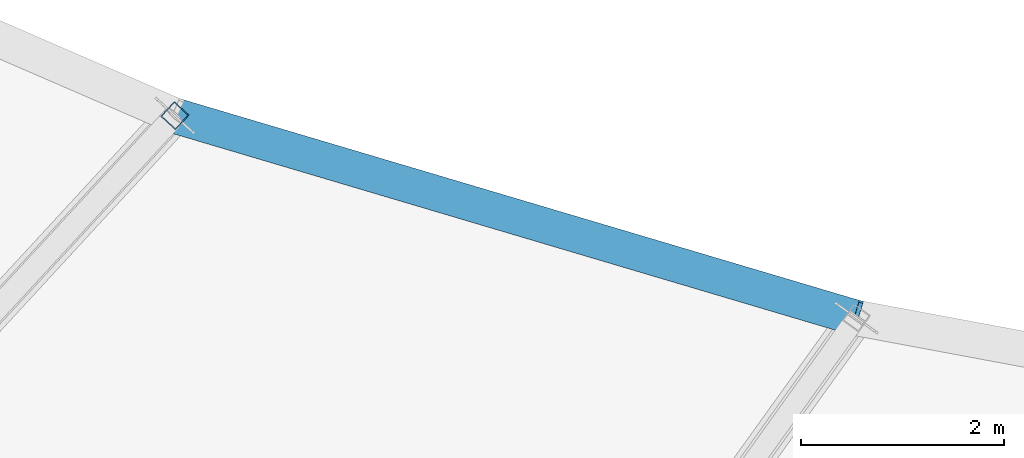
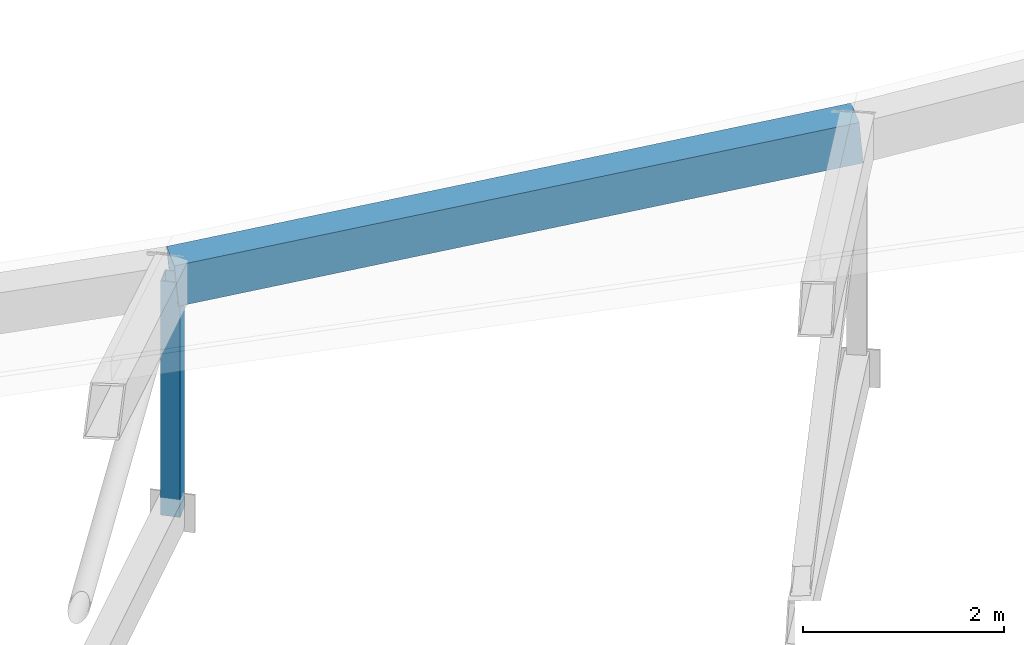
# One storey, part 38 of 143: 1 beam, 1 member.
"""IFC4 building model written with IfcOpenShell, lengths in metres."""

from ifc_helpers import new_model, si_unit, direction, frame, origin, origin_2d, place, context, subcontext, project, spatial, hollow_rectangle, extrude, material, material_profile, profile_set, type_object, element, save


model = new_model("IFC4")

# Units and contexts
model_context = context("Model", 3, precision=1e-05, world=origin(), true_north=direction((0.0, 1.0)))
body_context = subcontext(model_context, "Body", "Model", "MODEL_VIEW")
ifc_project = project(units=[si_unit("LENGTHUNIT", "METRE"), si_unit("AREAUNIT", "SQUARE_METRE"), si_unit("VOLUMEUNIT", "CUBIC_METRE"), si_unit("PLANEANGLEUNIT", "RADIAN"), si_unit("MASSUNIT", "GRAM", prefix="KILO")], contexts=[model_context])

# Site, building, storey
site_placement = place(None, origin())
site = spatial("IfcSite", under=ifc_project, at=site_placement, CompositionType="ELEMENT")
building_placement = place(site_placement, origin())
building = spatial("IfcBuilding", under=site, at=building_placement, Name="Mphavela Belvedere Stadium", CompositionType="ELEMENT")
storey_placement = place(building_placement, frame((0.0, 0.0, 28.800048828125)))
storey = spatial("IfcBuildingStorey", under=building, at=storey_placement, Name="RF", CompositionType="ELEMENT", Elevation=28.800048828125)

# Beam
ifc_material_1 = material(Name="Steel S355", Category="steel")
ifc_material_profile_1 = material_profile(ifc_material_1, hollow_rectangle(XDim=0.35009765625, YDim=0.5, WallThickness=0.02001953125, at=origin_2d()), Name="RHS 500x350x20")
ifc_profile_set_1 = profile_set([ifc_material_profile_1], Name="Steel S355")
beam_type = type_object("IfcBeamType", Name="BM-RING-IN", PredefinedType="BEAM", material=ifc_profile_set_1)
beam_placement = place(storey_placement, frame((78.20751953125, 47.095703125, 5.84619140625), z_axis=(0.955178265925, -0.283491054997, 0.085248472374), x_axis=(0.284526811355, 0.958668083134, 0.0)))
element("IfcBeam", 1, at=beam_placement, inside=storey, type_object=beam_type, Name="Inner tension ring beam RB-IN-33", PredefinedType="BEAM", context=body_context, shape_type="SweptSolid", body=[
    extrude(hollow_rectangle(XDim=0.35009765625, YDim=0.5, WallThickness=0.02001953125, at=origin_2d()), origin(), (0.0, 0.0, 1.0), 7.039306640625),
])

# Member
ifc_material_2 = material(Name="Steel S355", Category="steel")
ifc_material_profile_2 = material_profile(ifc_material_2, hollow_rectangle(XDim=0.199951171875, YDim=0.199951171875, WallThickness=0.010009765625, at=origin_2d()), Name="SHS 200x200x10")
ifc_profile_set_2 = profile_set([ifc_material_profile_2], Name="Steel S355")
member_type = type_object("IfcMemberType", Name="MEM-POST-SHS200", PredefinedType="POST", material=ifc_profile_set_2)
member_placement = place(storey_placement, frame((78.20751953125, 47.095703125, 2.99609375), z_axis=(0.0, 0.0, 1.0), x_axis=(-0.677903094969, -0.735151272753, 0.0)))
element("IfcMember", 2, at=member_placement, inside=storey, type_object=member_type, Name="Radial roof truss RT-33 post P4", PredefinedType="POST", context=body_context, shape_type="SweptSolid", body=[
    extrude(hollow_rectangle(XDim=0.199951171875, YDim=0.199951171875, WallThickness=0.010009765625, at=origin_2d()), origin(), (0.0, 0.0, 1.0), 2.85009765625),
])

save(model, "model.ifc")
